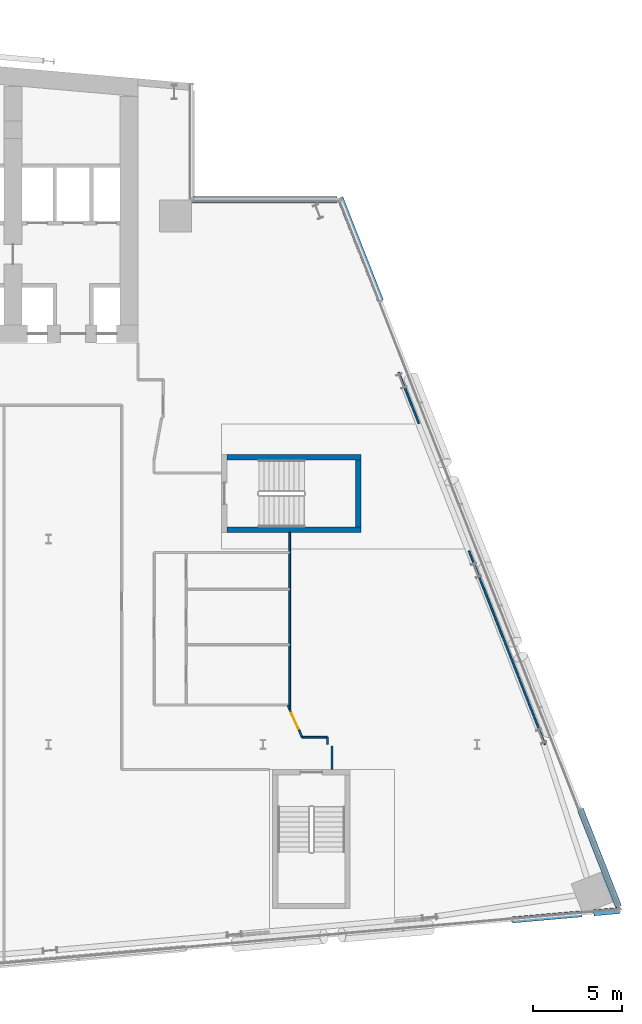
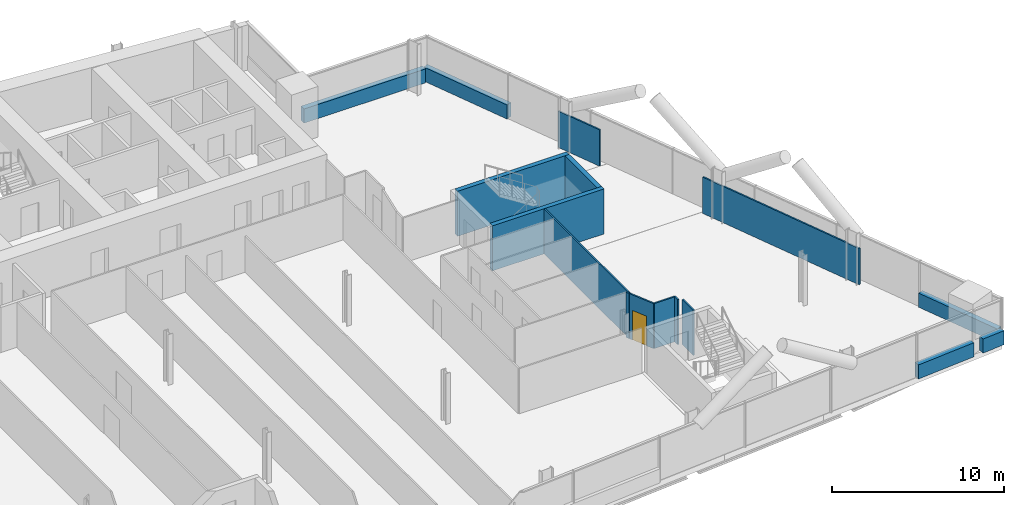
# One storey, part 18 of 25: 16 walls, 1 door, 1 opening.
"""IFC4 building model written with IfcOpenShell, lengths in metres."""

import ifcopenshell
import ifcopenshell.guid

model = None  # the IFC model being written
_history = None  # IfcOwnerHistory: only IFC2X3 demands one
_inside = {}  # id of a spatial element -> (the spatial element, [elements in it])
_under = {}  # id of a project, library or spatial element -> (it, [spatial elements below it])
_declared = {}  # id of a project -> (the project, [libraries it declares])
_typed = {}  # id of a type object -> (the type object, [elements of that type])
_made_of = {}  # id of a material, layer set ... -> (it, [elements and type objects made of it])


def new_model(schema):
    """Start an empty IFC model of exactly this schema.

    Asked for "IFC4X3", IfcOpenShell would pick the latest addendum, in which some entities
    have other attributes; the version numbers below select the first issue.
    IFC2X3 requires an IfcOwnerHistory on every rooted entity: one is made here for all.
    """
    global model, _history
    if schema == "IFC4X3":
        model = ifcopenshell.file(schema_version=(4, 3, 0, 0))
    else:
        model = ifcopenshell.file(schema=schema)
    _inside.clear()
    _under.clear()
    _declared.clear()
    _typed.clear()
    _made_of.clear()
    _history = None
    if model.schema == "IFC2X3":
        org = make("IfcOrganization", Name="unknown")
        user = make(
            "IfcPersonAndOrganization",
            ThePerson=make("IfcPerson", FamilyName="unknown"),
            TheOrganization=org,
        )
        app = make(
            "IfcApplication",
            ApplicationDeveloper=org,
            Version="unknown",
            ApplicationFullName="unknown",
            ApplicationIdentifier="unknown",
        )
        _history = make(
            "IfcOwnerHistory",
            OwningUser=user,
            OwningApplication=app,
            ChangeAction="ADDED",
            CreationDate=0,
        )
    return model


def make(cls, **values):
    """One entity of the class cls with the attributes given. An attribute that is None is left unset."""
    return model.create_entity(
        cls, **{name: value for name, value in values.items() if value is not None}
    )


def rooted(cls, **values):
    """An entity with a GlobalId (a new one), such as an element, a storey or a relation."""
    return make(cls, GlobalId=ifcopenshell.guid.new(), OwnerHistory=_history, **values)


def si_unit(unit_type, name, prefix=None):
    """IfcSIUnit, for example si_unit("LENGTHUNIT", "METRE", prefix="MILLI")."""
    return make("IfcSIUnit", UnitType=unit_type, Prefix=prefix, Name=name)


def assignment(units):
    """IfcUnitAssignment: the units of a project."""
    return None if units is None else make("IfcUnitAssignment", Units=units)


def point(xyz):
    """IfcCartesianPoint."""
    return None if xyz is None else make("IfcCartesianPoint", Coordinates=xyz)


def direction(xyz):
    """IfcDirection."""
    return None if xyz is None else make("IfcDirection", DirectionRatios=xyz)


def frame(location, z_axis=None, x_axis=None):
    """IfcAxis2Placement3D, a coordinate frame: its origin and axes. An axis left out is left unset."""
    return make(
        "IfcAxis2Placement3D",
        Location=point(location),
        Axis=direction(z_axis),
        RefDirection=direction(x_axis),
    )


def frame_2d(location, x_axis=None):
    """IfcAxis2Placement2D, a coordinate frame in the plane: its origin and x axis."""
    return make(
        "IfcAxis2Placement2D", Location=point(location), RefDirection=direction(x_axis)
    )


def origin():
    """The frame at (0, 0, 0) with its axes left unset."""
    return frame((0.0, 0.0, 0.0))


def place(relative_to, where):
    """IfcLocalPlacement: puts the frame where relative to a parent placement (None: the world)."""
    return make(
        "IfcLocalPlacement", PlacementRelTo=relative_to, RelativePlacement=where
    )


def context(
    kind, dimensions, precision=None, world=None, true_north=None, identifier=None
):
    """IfcGeometricRepresentationContext, for example the 3D "Model" context."""
    return make(
        "IfcGeometricRepresentationContext",
        ContextIdentifier=identifier,
        ContextType=kind,
        CoordinateSpaceDimension=dimensions,
        Precision=precision,
        WorldCoordinateSystem=world,
        TrueNorth=true_north,
    )


def subcontext(parent, identifier, kind, view, scale=None):
    """IfcGeometricRepresentationSubContext, for example "Body" below "Model"."""
    return make(
        "IfcGeometricRepresentationSubContext",
        ContextIdentifier=identifier,
        ContextType=kind,
        ParentContext=parent,
        TargetScale=scale,
        TargetView=view,
    )


def project(units=None, contexts=None):
    """IfcProject with its units and contexts."""
    return rooted(
        "IfcProject",
        Name="project",
        RepresentationContexts=contexts,
        UnitsInContext=assignment(units),
    )


def spatial(cls, under=None, at=None, **own):
    """A site, building, storey or space (cls), placed at a placement, below another one or the project."""
    s = rooted(cls, ObjectPlacement=at, **own)
    if under is not None:
        _under.setdefault(under.id(), (under, []))[1].append(s)
    return s


def profile(cls, at=None, kind="AREA", **sizes):
    """A parametric profile (cls). Its sizes go by their IFC names, for example OverallWidth=200.0."""
    return make(cls, ProfileType=kind, Position=at, **sizes)


def rectangle(**sizes):
    """IfcRectangleProfileDef."""
    return profile("IfcRectangleProfileDef", **sizes)


def extrude(swept, where, along, depth):
    """IfcExtrudedAreaSolid: the profile swept, set in the frame where, extruded along a direction by depth."""
    return make(
        "IfcExtrudedAreaSolid",
        SweptArea=swept,
        Position=where,
        ExtrudedDirection=direction(along),
        Depth=depth,
    )


def shape(context_of_items, identifier, shape_type, items):
    """IfcShapeRepresentation: the items that make up one representation, for example the "Body"."""
    return make(
        "IfcShapeRepresentation",
        ContextOfItems=context_of_items,
        RepresentationIdentifier=identifier,
        RepresentationType=shape_type,
        Items=items,
    )


def material(Name=None, Category=None):
    """IfcMaterial."""
    return make("IfcMaterial", Name=Name, Category=Category)


def layer(
    of_material, thickness, ventilated=None, Name=None, Category=None, Priority=None
):
    """IfcMaterialLayer: one layer of a wall or slab, of a material (None: an air gap)."""
    return make(
        "IfcMaterialLayer",
        Material=of_material,
        LayerThickness=thickness,
        IsVentilated=ventilated,
        Name=Name,
        Category=Category,
        Priority=Priority,
    )


def layer_set(layers, Name=None):
    """IfcMaterialLayerSet."""
    return make("IfcMaterialLayerSet", MaterialLayers=layers, LayerSetName=Name)


def made_of(thing, what):
    """Note that an element or type object is made of a material, layer set ...; save() writes the relation."""
    if what is not None:
        _made_of.setdefault(what.id(), (what, []))[1].append(thing)
    return thing


def type_object(cls, material=None, **own):
    """A type object (cls), such as IfcWallType, which elements share."""
    return made_of(rooted(cls, **own), material)


def element(
    cls,
    number,
    at=None,
    inside=None,
    cuts=None,
    type_object=None,
    material=None,
    context=None,
    identifier="Body",
    shape_type=None,
    held_by="IfcProductDefinitionShape",
    body=None,
    shapes=None,
    **own,
):
    """One element of the class cls, such as IfcWall. Its Tag is "e" and its number.

    at: its placement. inside: the storey or other place that contains it. cuts: it is an
    opening in that element (IfcRelVoidsElement). A single representation is given by context,
    identifier, shape_type and body (its items); several are given by shapes. held_by: the class
    of the entity that holds the representations. save() writes the other relations.
    """
    e = rooted(cls, Tag="e%d" % number, ObjectPlacement=at, **own)
    if body is not None:
        shapes = [shape(context, identifier, shape_type, body)]
    if shapes is not None:
        e.Representation = make(held_by, Representations=shapes)
    if inside is not None:
        _inside.setdefault(inside.id(), (inside, []))[1].append(e)
    if cuts is not None:
        rooted(
            "IfcRelVoidsElement", RelatingBuildingElement=cuts, RelatedOpeningElement=e
        )
    if type_object is not None:
        _typed.setdefault(type_object.id(), (type_object, []))[1].append(e)
    return made_of(e, material)


def fill(opening, filler):
    """IfcRelFillsElement: the door or window that sits in an opening."""
    return rooted(
        "IfcRelFillsElement",
        RelatingOpeningElement=opening,
        RelatedBuildingElement=filler,
    )


def aggregate(whole, parts):
    """IfcRelAggregates: a whole, such as a stair, and the parts it consists of."""
    return rooted("IfcRelAggregates", RelatingObject=whole, RelatedObjects=parts)


def save(model, path):
    """Write the relations noted so far, then the file.

    IfcRelAggregates (storeys below a building ...), IfcRelContainedInSpatialStructure (elements
    in a storey), IfcRelDefinesByType, IfcRelAssociatesMaterial and IfcRelDeclares: one each for
    every whole, place, type object, material and project.
    """
    for whole, parts in _under.values():
        aggregate(whole, parts)
    for where, things in _inside.values():
        rooted(
            "IfcRelContainedInSpatialStructure",
            RelatedElements=things,
            RelatingStructure=where,
        )
    for kind, things in _typed.values():
        rooted("IfcRelDefinesByType", RelatedObjects=things, RelatingType=kind)
    for what, things in _made_of.values():
        rooted("IfcRelAssociatesMaterial", RelatedObjects=things, RelatingMaterial=what)
    for by, libraries in _declared.values():
        rooted("IfcRelDeclares", RelatingContext=by, RelatedDefinitions=libraries)
    model.write(path)


model = new_model("IFC4")

# Units and contexts
model_context = context("Model", 3, precision=1e-05, world=origin(), true_north=direction((0.0, 1.0)))
body_context = subcontext(model_context, "Body", "Model", "MODEL_VIEW")
ifc_project = project(units=[si_unit("LENGTHUNIT", "METRE"), si_unit("AREAUNIT", "SQUARE_METRE"), si_unit("VOLUMEUNIT", "CUBIC_METRE"), si_unit("PLANEANGLEUNIT", "RADIAN"), si_unit("MASSUNIT", "GRAM", prefix="KILO")], contexts=[model_context])

# Site, building, storey
site_placement = place(None, origin())
site = spatial("IfcSite", under=ifc_project, at=site_placement, CompositionType="ELEMENT")
building_placement = place(site_placement, origin())
building = spatial("IfcBuilding", under=site, at=building_placement, Name="Wharfspan Tower", CompositionType="ELEMENT")
storey_placement = place(building_placement, frame((0.0, 0.0, 129.100098)))
storey = spatial("IfcBuildingStorey", under=building, at=storey_placement, Name="L30", CompositionType="ELEMENT", Elevation=129.100098)

# Walls
ifc_material_1 = material(Name="Gypsum board on steel studs", Category="steel")
ifc_layer_1 = layer(ifc_material_1, 0.100098)
ifc_layer_set_1 = layer_set([ifc_layer_1], Name="Gypsum board on steel studs")
wall_type_1 = type_object("IfcWallType", Name="Compartment wall 100 EI 60", PredefinedType="PARTITIONING", material=ifc_layer_set_1)
wall_1_placement = place(storey_placement, frame((73.48999, 13.47998, 0.0), z_axis=(0.0, 0.0, 1.0), x_axis=(-0.419275, 0.907861, 0.0)))
element("IfcWall", 1, at=wall_1_placement, inside=storey, type_object=wall_type_1, Name="Partition L30.w034", PredefinedType="PARTITIONING", context=body_context, shape_type="SweptSolid", body=[
    extrude(rectangle(XDim=0.214844, YDim=0.100098, at=frame_2d((0.107422, 0.0))), origin(), (0.0, 0.0, 1.0), 3.199951),
])
wall_2_placement = place(storey_placement, frame((73.5, 13.47998, 0.0), z_axis=(0.0, 0.0, 1.0), x_axis=(0.0, 1.0, 0.0)))
element("IfcWall", 2, at=wall_2_placement, inside=storey, type_object=wall_type_1, Name="Partition L30.w035", PredefinedType="PARTITIONING", context=body_context, shape_type="SweptSolid", body=[
    extrude(rectangle(XDim=9.89502, YDim=0.100098, at=frame_2d((4.94751, 0.0))), origin(), (0.0, 0.0, 1.0), 3.199951),
])

# Wall, opening, door
wall_3_placement = place(storey_placement, frame((74.199951, 11.89502, 0.0), z_axis=(0.0, 0.0, 1.0), x_axis=(-0.409356, 0.912377, 0.0)))
wall_3 = element("IfcWall", 3, at=wall_3_placement, inside=storey, type_object=wall_type_1, Name="Partition L30.w036", PredefinedType="PARTITIONING", context=body_context, shape_type="SweptSolid", body=[
    extrude(rectangle(XDim=1.709961, YDim=0.100098, at=frame_2d((0.85498, 0.0))), origin(), (0.0, 0.0, 1.0), 3.199951),
])
opening_placement = place(wall_3_placement, frame((0.5, 0.0, 0.0)))
opening = element("IfcOpeningElement", 4, at=opening_placement, cuts=wall_3, Name="Opening B4-01", PredefinedType="OPENING", context=body_context, shape_type="SweptSolid", body=[
    extrude(rectangle(XDim=1.0, YDim=2.100098, at=frame_2d((0.5, 1.050049))), frame((0.0, 0.060059, 0.0), z_axis=(0.0, -1.0, 0.0), x_axis=(1.0, 0.0, 0.0)), (0.0, 0.0, 1.0), 0.120117),
])
ifc_material_2 = material(Name="Fire-rated timber door leaf in steel frame", Category="steel")
door_type = type_object("IfcDoorType", Name="Door 1000 FD30S Right", OperationType="SINGLE_SWING_RIGHT", PredefinedType="DOOR", material=ifc_material_2)
door_placement = place(opening_placement, origin())
door = element("IfcDoor", 5, at=door_placement, inside=storey, type_object=door_type, Name="Door B4-01", OperationType="SINGLE_SWING_RIGHT", OverallHeight=2.100098, OverallWidth=1.0, PredefinedType="DOOR", context=body_context, shape_type="SweptSolid", body=[
    extrude(rectangle(XDim=1.0, YDim=2.100098, at=frame_2d((0.5, 1.050049))), frame((0.0, 0.024902, 0.0), z_axis=(0.0, -1.0, 0.0), x_axis=(1.0, 0.0, 0.0)), (0.0, 0.0, 1.0), 0.050049),
])
fill(opening, door)

# Walls
wall_4_placement = place(storey_placement, frame((74.199951, 11.89502, 0.0), z_axis=(0.0, 0.0, 1.0), x_axis=(1.0, 0.0, 0.0)))
element("IfcWall", 6, at=wall_4_placement, inside=storey, type_object=wall_type_1, Name="Partition L30.w037", PredefinedType="PARTITIONING", context=body_context, shape_type="SweptSolid", body=[
    extrude(rectangle(XDim=1.415039, YDim=0.100098, at=frame_2d((0.70752, 0.0))), origin(), (0.0, 0.0, 1.0), 3.199951),
])
wall_5_placement = place(storey_placement, frame((75.61499, 11.514893, 0.0), z_axis=(0.0, 0.0, 1.0), x_axis=(0.0, 1.0, 0.0)))
element("IfcWall", 7, at=wall_5_placement, inside=storey, type_object=wall_type_1, Name="Partition L30.w038", PredefinedType="PARTITIONING", context=body_context, shape_type="SweptSolid", body=[
    extrude(rectangle(XDim=0.380127, YDim=0.100098, at=frame_2d((0.189941, 0.0))), origin(), (0.0, 0.0, 1.0), 3.199951),
])
wall_6_placement = place(storey_placement, frame((75.86499, 10.114746, 0.0), z_axis=(0.0, 0.0, 1.0), x_axis=(0.0, 1.0, 0.0)))
element("IfcWall", 8, at=wall_6_placement, inside=storey, type_object=wall_type_1, Name="Partition L30.w039", PredefinedType="PARTITIONING", context=body_context, shape_type="SweptSolid", body=[
    extrude(rectangle(XDim=1.280273, YDim=0.100098, at=frame_2d((0.640137, 0.0))), origin(), (0.0, 0.0, 1.0), 3.199951),
])
ifc_layer_2 = layer(ifc_material_1, 0.100098)
ifc_layer_set_2 = layer_set([ifc_layer_2], Name="Gypsum board on steel studs")
wall_type_2 = type_object("IfcWallType", Name="Partition 100", PredefinedType="PARTITIONING", material=ifc_layer_set_2)
wall_7_placement = place(storey_placement, frame((80.737061, 29.469971, 0.0), z_axis=(0.0, 0.0, 1.0), x_axis=(-0.366592, 0.930378, 0.0)))
element("IfcWall", 9, at=wall_7_placement, inside=storey, type_object=wall_type_2, Name="Partition L30.w041", PredefinedType="PARTITIONING", context=body_context, shape_type="SweptSolid", body=[
    extrude(rectangle(XDim=3.074219, YDim=0.100098, at=frame_2d((1.537109, 0.0))), origin(), (0.0, 0.0, 1.0), 2.579834),
])
wall_8_placement = place(storey_placement, frame((87.800049, 11.5, 0.0), z_axis=(0.0, 0.0, 1.0), x_axis=(-0.365866, 0.930668, 0.0)))
element("IfcWall", 10, at=wall_8_placement, inside=storey, type_object=wall_type_2, Name="Partition L30.w042", PredefinedType="PARTITIONING", context=body_context, shape_type="SweptSolid", body=[
    extrude(rectangle(XDim=11.640381, YDim=0.100098, at=frame_2d((5.820312, 0.0))), origin(), (0.0, 0.0, 1.0), 2.579834),
])
ifc_material_3 = material(Name="Concrete C40/50", Category="concrete")
ifc_layer_3 = layer(ifc_material_3, 0.350098)
ifc_layer_set_3 = layer_set([ifc_layer_3], Name="Concrete C40/50")
wall_type_3 = type_object("IfcWallType", Name="SPANDREL EXPOSED CONCRETE 350", PredefinedType="SOLIDWALL", material=ifc_layer_set_3)
wall_9_placement = place(storey_placement, frame((85.958984, 1.666504, 0.0), z_axis=(0.0, 0.0, 1.0), x_axis=(0.996194, 0.087167, 0.0)))
element("IfcWall", 11, at=wall_9_placement, inside=storey, type_object=wall_type_3, Name="Spandrel upstand L30 S2 2", PredefinedType="SOLIDWALL", context=body_context, shape_type="SweptSolid", body=[
    extrude(rectangle(XDim=3.921143, YDim=0.350098, at=frame_2d((1.960449, 0.0))), origin(), (0.0, 0.0, 1.0), 1.0),
])
wall_10_placement = place(storey_placement, frame((90.5271, 2.066162, 0.0), z_axis=(0.0, 0.0, 1.0), x_axis=(0.996198, 0.087157, 0.0)))
element("IfcWall", 12, at=wall_10_placement, inside=storey, type_object=wall_type_3, Name="Spandrel upstand L30 S2 3", PredefinedType="SOLIDWALL", context=body_context, shape_type="SweptSolid", body=[
    extrude(rectangle(XDim=1.479004, YDim=0.350098, at=frame_2d((0.739502, 0.0))), origin(), (0.0, 0.0, 1.0), 1.0),
])
wall_11_placement = place(storey_placement, frame((91.921387, 2.413574, 0.0), z_axis=(0.0, 0.0, 1.0), x_axis=(-0.36578, 0.930701, 0.0)))
element("IfcWall", 13, at=wall_11_placement, inside=storey, type_object=wall_type_3, Name="Spandrel upstand L30 E 1", PredefinedType="SOLIDWALL", context=body_context, shape_type="SweptSolid", body=[
    extrude(rectangle(XDim=5.851562, YDim=0.350098, at=frame_2d((2.925781, 0.0))), origin(), (0.0, 0.0, 1.0), 1.0),
])
wall_12_placement = place(storey_placement, frame((78.586426, 36.343994, 0.0), z_axis=(0.0, 0.0, 1.0), x_axis=(-0.365792, 0.930699, 0.0)))
element("IfcWall", 14, at=wall_12_placement, inside=storey, type_object=wall_type_3, Name="Spandrel upstand L30 E 2", PredefinedType="SOLIDWALL", context=body_context, shape_type="SweptSolid", body=[
    extrude(rectangle(XDim=6.20166, YDim=0.350098, at=frame_2d((3.10083, 0.0))), origin(), (0.0, 0.0, 1.0), 1.0),
])
wall_13_placement = place(storey_placement, frame((76.155029, 42.004883, 0.0), z_axis=(0.0, 0.0, 1.0), x_axis=(-1.0, 0.0, 0.0)))
element("IfcWall", 15, at=wall_13_placement, inside=storey, type_object=wall_type_3, Name="Spandrel upstand L30 NRE-H", PredefinedType="SOLIDWALL", context=body_context, shape_type="SweptSolid", body=[
    extrude(rectangle(XDim=8.155029, YDim=0.350098, at=frame_2d((4.077637, 0.0))), origin(), (0.0, 0.0, 1.0), 1.0),
])
ifc_layer_4 = layer(ifc_material_3, 0.300049)
ifc_layer_set_4 = layer_set([ifc_layer_4], Name="Concrete C40/50")
wall_type_4 = type_object("IfcWallType", Name="Stair core wall 300", PredefinedType="SHEAR", material=ifc_layer_set_4)
for number, where, z_axis, x_axis, name in (
    (16, (69.990479, 23.524902, 0.0), (0.0, 0.0, 1.0), (1.0, 0.0, 0.0), "ST6 stair enclosure wall L30"),
    (17, (69.990479, 27.574951, 0.0), (0.0, 0.0, 1.0), (1.0, 0.0, 0.0), "ST6 stair enclosure wall L30"),
):
    element("IfcWall", number, at=place(storey_placement, frame(where, z_axis=z_axis, x_axis=x_axis)), inside=storey, type_object=wall_type_4, Name=name, PredefinedType="SHEAR", context=body_context, shape_type="SweptSolid", body=[
        extrude(rectangle(XDim=7.5, YDim=0.300049, at=frame_2d((3.75, 0.0))), origin(), (0.0, 0.0, 1.0), 3.199951),
    ])
wall_14_placement = place(storey_placement, frame((77.340332, 23.675049, 0.0), z_axis=(0.0, 0.0, 1.0), x_axis=(0.0, 1.0, 0.0)))
element("IfcWall", 18, at=wall_14_placement, inside=storey, type_object=wall_type_4, Name="ST6 stair enclosure wall L30", PredefinedType="SHEAR", context=body_context, shape_type="SweptSolid", body=[
    extrude(rectangle(XDim=3.75, YDim=0.300049, at=frame_2d((1.875, 0.0))), origin(), (0.0, 0.0, 1.0), 3.199951),
])

save(model, "model.ifc")
